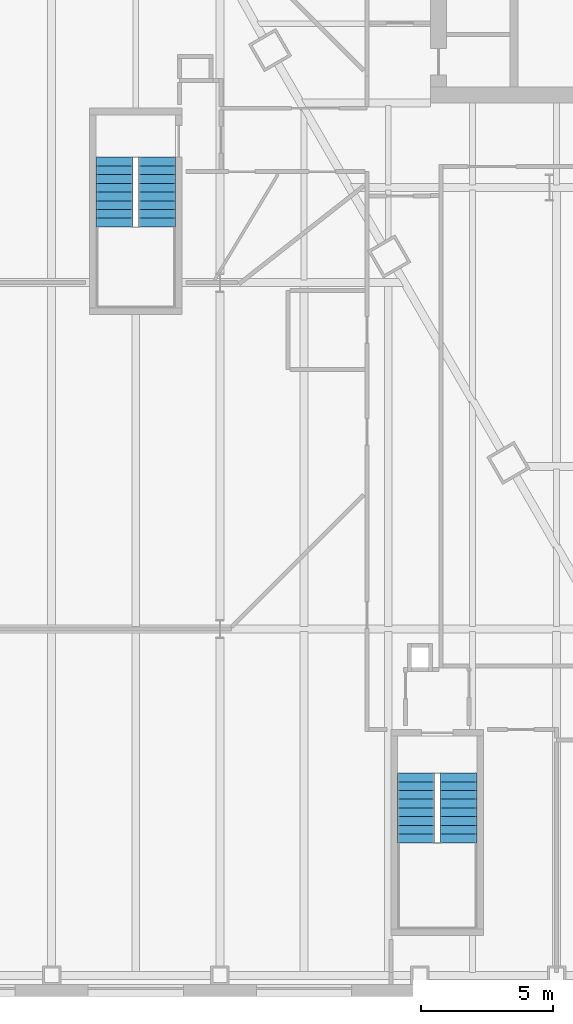
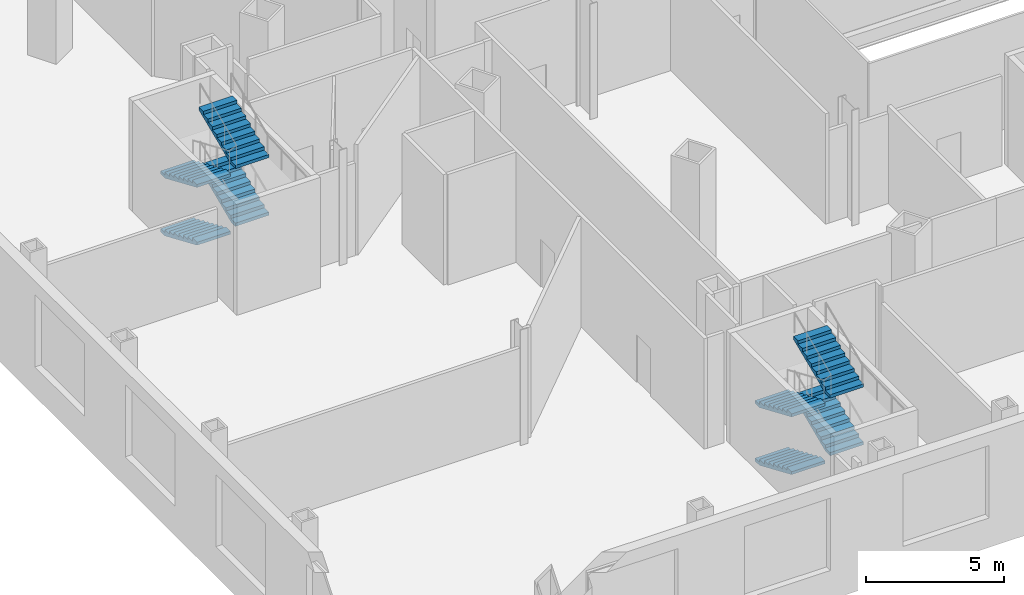
# One storey, part 16 of 21: 8 stair flights, 2 elements without a shape of their own.
"""IFC4 building model written with IfcOpenShell, lengths in metres."""

from ifc_helpers import new_model, si_unit, direction, frame, origin, place, context, subcontext, project, spatial, polygons, material, type_object, element, aggregate, save


model = new_model("IFC4")

# Units and contexts
model_context = context("Model", 3, precision=1e-05, world=origin(), true_north=direction((0.0, 1.0)))
body_context = subcontext(model_context, "Body", "Model", "MODEL_VIEW")
ifc_project = project(units=[si_unit("LENGTHUNIT", "METRE"), si_unit("AREAUNIT", "SQUARE_METRE"), si_unit("VOLUMEUNIT", "CUBIC_METRE"), si_unit("PLANEANGLEUNIT", "RADIAN"), si_unit("MASSUNIT", "GRAM", prefix="KILO")], contexts=[model_context])

# Site, building, storey
site_placement = place(None, origin())
site = spatial("IfcSite", under=ifc_project, at=site_placement, CompositionType="ELEMENT")
building_placement = place(site_placement, origin())
building = spatial("IfcBuilding", under=site, at=building_placement, Name="Njiva Tower", CompositionType="ELEMENT")
storey_placement = place(building_placement, frame((0.0, 0.0, 13.5)))
storey = spatial("IfcBuildingStorey", under=building, at=storey_placement, Name="L02", CompositionType="ELEMENT", Elevation=13.5)

# Stair, stair flights
ifc_material = material(Name="Concrete C40/50", Category="concrete")
stair_type = type_object("IfcStairType", Name="ST2 Exit stair 1400", PredefinedType="HALF_TURN_STAIR", material=ifc_material)
stair_1_placement = place(storey_placement, origin())
stair_1 = element("IfcStair", 1, at=stair_1_placement, inside=storey, type_object=stair_type, Name="Stair D", PredefinedType="DOUBLE_RETURN_STAIR")
stair_flight_type = type_object("IfcStairFlightType", Name="FL2 Stair flight 1400", PredefinedType="STRAIGHT", material=ifc_material)
stair_flight_1_placement = place(storey_placement, frame((-18.05, -25.35, 0.0), z_axis=(0.0, 0.0, 1.0), x_axis=(0.0, -1.0, 0.0)))
stair_flight_1 = element("IfcStairFlight", 2, at=stair_flight_1_placement, type_object=stair_flight_type, Name="ST-D flight 1", NumberOfRisers=9, NumberOfTreads=8, PredefinedType="STRAIGHT", RiserHeight=0.141666667, TreadLength=0.33, context=body_context, shape_type="Tessellation", body=[
    polygons([(0.0, 0.7, 0.0), (0.0, 0.35, 0.0), (0.0, 0.0, 0.0), (0.0, -0.35, 0.0), (0.0, -0.7, 0.0), (0.0, 0.7, 0.1417), (0.0, 0.35, 0.1417), (0.0, 0.0, 0.1417), (0.0, -0.35, 0.1417), (0.0, -0.7, 0.1417), (0.33, 0.7, 0.1417), (0.33, 0.35, 0.1417), (0.33, 0.0, 0.1417), (0.33, -0.35, 0.1417), (0.33, -0.7, 0.1417), (0.33, 0.7, 0.2833), (0.33, 0.35, 0.2833), (0.33, 0.0, 0.2833), (0.33, -0.35, 0.2833), (0.33, -0.7, 0.2833), (0.66, 0.7, 0.2833), (0.66, 0.35, 0.2833), (0.66, 0.0, 0.2833), (0.66, -0.35, 0.2833), (0.66, -0.7, 0.2833), (0.66, 0.7, 0.425), (0.66, 0.35, 0.425), (0.66, 0.0, 0.425), (0.66, -0.35, 0.425), (0.66, -0.7, 0.425), (0.99, 0.7, 0.425), (0.99, 0.35, 0.425), (0.99, 0.0, 0.425), (0.99, -0.35, 0.425), (0.99, -0.7, 0.425), (0.99, 0.7, 0.5667), (0.99, 0.35, 0.5667), (0.99, 0.0, 0.5667), (0.99, -0.35, 0.5667), (0.99, -0.7, 0.5667), (1.32, 0.7, 0.5667), (1.32, 0.35, 0.5667), (1.32, 0.0, 0.5667), (1.32, -0.35, 0.5667), (1.32, -0.7, 0.5667), (1.32, 0.7, 0.7083), (1.32, 0.35, 0.7083), (1.32, 0.0, 0.7083), (1.32, -0.35, 0.7083), (1.32, -0.7, 0.7083), (1.65, 0.7, 0.7083), (1.65, 0.35, 0.7083), (1.65, 0.0, 0.7083), (1.65, -0.35, 0.7083), (1.65, -0.7, 0.7083), (1.65, 0.7, 0.85), (1.65, 0.35, 0.85), (1.65, 0.0, 0.85), (1.65, -0.35, 0.85), (1.65, -0.7, 0.85), (1.98, 0.7, 0.85), (1.98, 0.35, 0.85), (1.98, 0.0, 0.85), (1.98, -0.35, 0.85), (1.98, -0.7, 0.85), (1.98, 0.7, 0.9917), (1.98, 0.35, 0.9917), (1.98, 0.0, 0.9917), (1.98, -0.35, 0.9917), (1.98, -0.7, 0.9917), (2.31, 0.7, 0.9917), (2.31, 0.35, 0.9917), (2.31, 0.0, 0.9917), (2.31, -0.35, 0.9917), (2.31, -0.7, 0.9917), (2.31, 0.7, 1.1333), (2.31, 0.35, 1.1333), (2.31, 0.0, 1.1333), (2.31, -0.35, 1.1333), (2.31, -0.7, 1.1333), (2.64, 0.7, 1.1333), (2.64, 0.35, 1.1333), (2.64, 0.0, 1.1333), (2.64, -0.35, 1.1333), (2.64, -0.7, 1.1333), (2.64, 0.7, 1.0027), (2.64, 0.35, 1.0027), (2.64, 0.0, 1.0027), (2.64, -0.35, 1.0027), (2.64, -0.7, 1.0027), (0.3042, 0.7, 0.0), (0.3042, 0.35, 0.0), (0.3042, 0.0, 0.0), (0.3042, -0.35, 0.0), (0.3042, -0.7, 0.0)], [[[1, 6, 11, 16, 21, 26, 31, 36, 41, 46, 51, 56, 61, 66, 71, 76, 81, 86, 91]], [[95, 90, 85, 80, 75, 70, 65, 60, 55, 50, 45, 40, 35, 30, 25, 20, 15, 10, 5]], [[6, 1, 2, 7]], [[7, 2, 3, 8]], [[8, 3, 4, 9]], [[9, 4, 5, 10]], [[11, 6, 7, 12]], [[12, 7, 8, 13]], [[13, 8, 9, 14]], [[14, 9, 10, 15]], [[16, 11, 12, 17]], [[17, 12, 13, 18]], [[18, 13, 14, 19]], [[19, 14, 15, 20]], [[21, 16, 17, 22]], [[22, 17, 18, 23]], [[23, 18, 19, 24]], [[24, 19, 20, 25]], [[26, 21, 22, 27]], [[27, 22, 23, 28]], [[28, 23, 24, 29]], [[29, 24, 25, 30]], [[31, 26, 27, 32]], [[32, 27, 28, 33]], [[33, 28, 29, 34]], [[34, 29, 30, 35]], [[36, 31, 32, 37]], [[37, 32, 33, 38]], [[38, 33, 34, 39]], [[39, 34, 35, 40]], [[41, 36, 37, 42]], [[42, 37, 38, 43]], [[43, 38, 39, 44]], [[44, 39, 40, 45]], [[46, 41, 42, 47]], [[47, 42, 43, 48]], [[48, 43, 44, 49]], [[49, 44, 45, 50]], [[51, 46, 47, 52]], [[52, 47, 48, 53]], [[53, 48, 49, 54]], [[54, 49, 50, 55]], [[56, 51, 52, 57]], [[57, 52, 53, 58]], [[58, 53, 54, 59]], [[59, 54, 55, 60]], [[61, 56, 57, 62]], [[62, 57, 58, 63]], [[63, 58, 59, 64]], [[64, 59, 60, 65]], [[66, 61, 62, 67]], [[67, 62, 63, 68]], [[68, 63, 64, 69]], [[69, 64, 65, 70]], [[71, 66, 67, 72]], [[72, 67, 68, 73]], [[73, 68, 69, 74]], [[74, 69, 70, 75]], [[76, 71, 72, 77]], [[77, 72, 73, 78]], [[78, 73, 74, 79]], [[79, 74, 75, 80]], [[81, 76, 77, 82]], [[82, 77, 78, 83]], [[83, 78, 79, 84]], [[84, 79, 80, 85]], [[86, 81, 82, 87]], [[87, 82, 83, 88]], [[88, 83, 84, 89]], [[89, 84, 85, 90]], [[91, 86, 87, 92]], [[92, 87, 88, 93]], [[93, 88, 89, 94]], [[94, 89, 90, 95]], [[1, 91, 92, 2]], [[2, 92, 93, 3]], [[3, 93, 94, 4]], [[4, 94, 95, 5]]], closed=True),
])
stair_flight_2_placement = place(storey_placement, frame((-16.45, -27.99, 1.275), z_axis=(0.0, 0.0, 1.0), x_axis=(0.0, 1.0, 0.0)))
stair_flight_2 = element("IfcStairFlight", 3, at=stair_flight_2_placement, type_object=stair_flight_type, Name="ST-D flight 2", NumberOfRisers=9, NumberOfTreads=8, PredefinedType="STRAIGHT", RiserHeight=0.141666667, TreadLength=0.33, context=body_context, shape_type="Tessellation", body=[
    polygons([(0.0, 0.7, 0.0), (0.0, 0.35, 0.0), (0.0, 0.0, 0.0), (0.0, -0.35, 0.0), (0.0, -0.7, 0.0), (0.0, 0.7, 0.1417), (0.0, 0.35, 0.1417), (0.0, 0.0, 0.1417), (0.0, -0.35, 0.1417), (0.0, -0.7, 0.1417), (0.33, 0.7, 0.1417), (0.33, 0.35, 0.1417), (0.33, 0.0, 0.1417), (0.33, -0.35, 0.1417), (0.33, -0.7, 0.1417), (0.33, 0.7, 0.2833), (0.33, 0.35, 0.2833), (0.33, 0.0, 0.2833), (0.33, -0.35, 0.2833), (0.33, -0.7, 0.2833), (0.66, 0.7, 0.2833), (0.66, 0.35, 0.2833), (0.66, 0.0, 0.2833), (0.66, -0.35, 0.2833), (0.66, -0.7, 0.2833), (0.66, 0.7, 0.425), (0.66, 0.35, 0.425), (0.66, 0.0, 0.425), (0.66, -0.35, 0.425), (0.66, -0.7, 0.425), (0.99, 0.7, 0.425), (0.99, 0.35, 0.425), (0.99, 0.0, 0.425), (0.99, -0.35, 0.425), (0.99, -0.7, 0.425), (0.99, 0.7, 0.5667), (0.99, 0.35, 0.5667), (0.99, 0.0, 0.5667), (0.99, -0.35, 0.5667), (0.99, -0.7, 0.5667), (1.32, 0.7, 0.5667), (1.32, 0.35, 0.5667), (1.32, 0.0, 0.5667), (1.32, -0.35, 0.5667), (1.32, -0.7, 0.5667), (1.32, 0.7, 0.7083), (1.32, 0.35, 0.7083), (1.32, 0.0, 0.7083), (1.32, -0.35, 0.7083), (1.32, -0.7, 0.7083), (1.65, 0.7, 0.7083), (1.65, 0.35, 0.7083), (1.65, 0.0, 0.7083), (1.65, -0.35, 0.7083), (1.65, -0.7, 0.7083), (1.65, 0.7, 0.85), (1.65, 0.35, 0.85), (1.65, 0.0, 0.85), (1.65, -0.35, 0.85), (1.65, -0.7, 0.85), (1.98, 0.7, 0.85), (1.98, 0.35, 0.85), (1.98, 0.0, 0.85), (1.98, -0.35, 0.85), (1.98, -0.7, 0.85), (1.98, 0.7, 0.9917), (1.98, 0.35, 0.9917), (1.98, 0.0, 0.9917), (1.98, -0.35, 0.9917), (1.98, -0.7, 0.9917), (2.31, 0.7, 0.9917), (2.31, 0.35, 0.9917), (2.31, 0.0, 0.9917), (2.31, -0.35, 0.9917), (2.31, -0.7, 0.9917), (2.31, 0.7, 1.1333), (2.31, 0.35, 1.1333), (2.31, 0.0, 1.1333), (2.31, -0.35, 1.1333), (2.31, -0.7, 1.1333), (2.64, 0.7, 1.1333), (2.64, 0.35, 1.1333), (2.64, 0.0, 1.1333), (2.64, -0.35, 1.1333), (2.64, -0.7, 1.1333), (2.64, 0.7, 1.0027), (2.64, 0.35, 1.0027), (2.64, 0.0, 1.0027), (2.64, -0.35, 1.0027), (2.64, -0.7, 1.0027), (0.3042, 0.7, 0.0), (0.3042, 0.35, 0.0), (0.3042, 0.0, 0.0), (0.3042, -0.35, 0.0), (0.3042, -0.7, 0.0)], [[[1, 6, 11, 16, 21, 26, 31, 36, 41, 46, 51, 56, 61, 66, 71, 76, 81, 86, 91]], [[95, 90, 85, 80, 75, 70, 65, 60, 55, 50, 45, 40, 35, 30, 25, 20, 15, 10, 5]], [[6, 1, 2, 7]], [[7, 2, 3, 8]], [[8, 3, 4, 9]], [[9, 4, 5, 10]], [[11, 6, 7, 12]], [[12, 7, 8, 13]], [[13, 8, 9, 14]], [[14, 9, 10, 15]], [[16, 11, 12, 17]], [[17, 12, 13, 18]], [[18, 13, 14, 19]], [[19, 14, 15, 20]], [[21, 16, 17, 22]], [[22, 17, 18, 23]], [[23, 18, 19, 24]], [[24, 19, 20, 25]], [[26, 21, 22, 27]], [[27, 22, 23, 28]], [[28, 23, 24, 29]], [[29, 24, 25, 30]], [[31, 26, 27, 32]], [[32, 27, 28, 33]], [[33, 28, 29, 34]], [[34, 29, 30, 35]], [[36, 31, 32, 37]], [[37, 32, 33, 38]], [[38, 33, 34, 39]], [[39, 34, 35, 40]], [[41, 36, 37, 42]], [[42, 37, 38, 43]], [[43, 38, 39, 44]], [[44, 39, 40, 45]], [[46, 41, 42, 47]], [[47, 42, 43, 48]], [[48, 43, 44, 49]], [[49, 44, 45, 50]], [[51, 46, 47, 52]], [[52, 47, 48, 53]], [[53, 48, 49, 54]], [[54, 49, 50, 55]], [[56, 51, 52, 57]], [[57, 52, 53, 58]], [[58, 53, 54, 59]], [[59, 54, 55, 60]], [[61, 56, 57, 62]], [[62, 57, 58, 63]], [[63, 58, 59, 64]], [[64, 59, 60, 65]], [[66, 61, 62, 67]], [[67, 62, 63, 68]], [[68, 63, 64, 69]], [[69, 64, 65, 70]], [[71, 66, 67, 72]], [[72, 67, 68, 73]], [[73, 68, 69, 74]], [[74, 69, 70, 75]], [[76, 71, 72, 77]], [[77, 72, 73, 78]], [[78, 73, 74, 79]], [[79, 74, 75, 80]], [[81, 76, 77, 82]], [[82, 77, 78, 83]], [[83, 78, 79, 84]], [[84, 79, 80, 85]], [[86, 81, 82, 87]], [[87, 82, 83, 88]], [[88, 83, 84, 89]], [[89, 84, 85, 90]], [[91, 86, 87, 92]], [[92, 87, 88, 93]], [[93, 88, 89, 94]], [[94, 89, 90, 95]], [[1, 91, 92, 2]], [[2, 92, 93, 3]], [[3, 93, 94, 4]], [[4, 94, 95, 5]]], closed=True),
])
stair_flight_3_placement = place(storey_placement, frame((-18.05, -25.35, 2.55), z_axis=(0.0, 0.0, 1.0), x_axis=(0.0, -1.0, 0.0)))
stair_flight_3 = element("IfcStairFlight", 4, at=stair_flight_3_placement, type_object=stair_flight_type, Name="ST-D flight 3", NumberOfRisers=9, NumberOfTreads=8, PredefinedType="STRAIGHT", RiserHeight=0.141666667, TreadLength=0.33, context=body_context, shape_type="Tessellation", body=[
    polygons([(0.0, 0.7, 0.0), (0.0, 0.35, 0.0), (0.0, 0.0, 0.0), (0.0, -0.35, 0.0), (0.0, -0.7, 0.0), (0.0, 0.7, 0.1417), (0.0, 0.35, 0.1417), (0.0, 0.0, 0.1417), (0.0, -0.35, 0.1417), (0.0, -0.7, 0.1417), (0.33, 0.7, 0.1417), (0.33, 0.35, 0.1417), (0.33, 0.0, 0.1417), (0.33, -0.35, 0.1417), (0.33, -0.7, 0.1417), (0.33, 0.7, 0.2833), (0.33, 0.35, 0.2833), (0.33, 0.0, 0.2833), (0.33, -0.35, 0.2833), (0.33, -0.7, 0.2833), (0.66, 0.7, 0.2833), (0.66, 0.35, 0.2833), (0.66, 0.0, 0.2833), (0.66, -0.35, 0.2833), (0.66, -0.7, 0.2833), (0.66, 0.7, 0.425), (0.66, 0.35, 0.425), (0.66, 0.0, 0.425), (0.66, -0.35, 0.425), (0.66, -0.7, 0.425), (0.99, 0.7, 0.425), (0.99, 0.35, 0.425), (0.99, 0.0, 0.425), (0.99, -0.35, 0.425), (0.99, -0.7, 0.425), (0.99, 0.7, 0.5667), (0.99, 0.35, 0.5667), (0.99, 0.0, 0.5667), (0.99, -0.35, 0.5667), (0.99, -0.7, 0.5667), (1.32, 0.7, 0.5667), (1.32, 0.35, 0.5667), (1.32, 0.0, 0.5667), (1.32, -0.35, 0.5667), (1.32, -0.7, 0.5667), (1.32, 0.7, 0.7083), (1.32, 0.35, 0.7083), (1.32, 0.0, 0.7083), (1.32, -0.35, 0.7083), (1.32, -0.7, 0.7083), (1.65, 0.7, 0.7083), (1.65, 0.35, 0.7083), (1.65, 0.0, 0.7083), (1.65, -0.35, 0.7083), (1.65, -0.7, 0.7083), (1.65, 0.7, 0.85), (1.65, 0.35, 0.85), (1.65, 0.0, 0.85), (1.65, -0.35, 0.85), (1.65, -0.7, 0.85), (1.98, 0.7, 0.85), (1.98, 0.35, 0.85), (1.98, 0.0, 0.85), (1.98, -0.35, 0.85), (1.98, -0.7, 0.85), (1.98, 0.7, 0.9917), (1.98, 0.35, 0.9917), (1.98, 0.0, 0.9917), (1.98, -0.35, 0.9917), (1.98, -0.7, 0.9917), (2.31, 0.7, 0.9917), (2.31, 0.35, 0.9917), (2.31, 0.0, 0.9917), (2.31, -0.35, 0.9917), (2.31, -0.7, 0.9917), (2.31, 0.7, 1.1333), (2.31, 0.35, 1.1333), (2.31, 0.0, 1.1333), (2.31, -0.35, 1.1333), (2.31, -0.7, 1.1333), (2.64, 0.7, 1.1333), (2.64, 0.35, 1.1333), (2.64, 0.0, 1.1333), (2.64, -0.35, 1.1333), (2.64, -0.7, 1.1333), (2.64, 0.7, 1.0027), (2.64, 0.35, 1.0027), (2.64, 0.0, 1.0027), (2.64, -0.35, 1.0027), (2.64, -0.7, 1.0027), (0.3042, 0.7, 0.0), (0.3042, 0.35, 0.0), (0.3042, 0.0, 0.0), (0.3042, -0.35, 0.0), (0.3042, -0.7, 0.0)], [[[1, 6, 11, 16, 21, 26, 31, 36, 41, 46, 51, 56, 61, 66, 71, 76, 81, 86, 91]], [[95, 90, 85, 80, 75, 70, 65, 60, 55, 50, 45, 40, 35, 30, 25, 20, 15, 10, 5]], [[6, 1, 2, 7]], [[7, 2, 3, 8]], [[8, 3, 4, 9]], [[9, 4, 5, 10]], [[11, 6, 7, 12]], [[12, 7, 8, 13]], [[13, 8, 9, 14]], [[14, 9, 10, 15]], [[16, 11, 12, 17]], [[17, 12, 13, 18]], [[18, 13, 14, 19]], [[19, 14, 15, 20]], [[21, 16, 17, 22]], [[22, 17, 18, 23]], [[23, 18, 19, 24]], [[24, 19, 20, 25]], [[26, 21, 22, 27]], [[27, 22, 23, 28]], [[28, 23, 24, 29]], [[29, 24, 25, 30]], [[31, 26, 27, 32]], [[32, 27, 28, 33]], [[33, 28, 29, 34]], [[34, 29, 30, 35]], [[36, 31, 32, 37]], [[37, 32, 33, 38]], [[38, 33, 34, 39]], [[39, 34, 35, 40]], [[41, 36, 37, 42]], [[42, 37, 38, 43]], [[43, 38, 39, 44]], [[44, 39, 40, 45]], [[46, 41, 42, 47]], [[47, 42, 43, 48]], [[48, 43, 44, 49]], [[49, 44, 45, 50]], [[51, 46, 47, 52]], [[52, 47, 48, 53]], [[53, 48, 49, 54]], [[54, 49, 50, 55]], [[56, 51, 52, 57]], [[57, 52, 53, 58]], [[58, 53, 54, 59]], [[59, 54, 55, 60]], [[61, 56, 57, 62]], [[62, 57, 58, 63]], [[63, 58, 59, 64]], [[64, 59, 60, 65]], [[66, 61, 62, 67]], [[67, 62, 63, 68]], [[68, 63, 64, 69]], [[69, 64, 65, 70]], [[71, 66, 67, 72]], [[72, 67, 68, 73]], [[73, 68, 69, 74]], [[74, 69, 70, 75]], [[76, 71, 72, 77]], [[77, 72, 73, 78]], [[78, 73, 74, 79]], [[79, 74, 75, 80]], [[81, 76, 77, 82]], [[82, 77, 78, 83]], [[83, 78, 79, 84]], [[84, 79, 80, 85]], [[86, 81, 82, 87]], [[87, 82, 83, 88]], [[88, 83, 84, 89]], [[89, 84, 85, 90]], [[91, 86, 87, 92]], [[92, 87, 88, 93]], [[93, 88, 89, 94]], [[94, 89, 90, 95]], [[1, 91, 92, 2]], [[2, 92, 93, 3]], [[3, 93, 94, 4]], [[4, 94, 95, 5]]], closed=True),
])
stair_flight_4_placement = place(storey_placement, frame((-16.45, -27.99, 3.825), z_axis=(0.0, 0.0, 1.0), x_axis=(0.0, 1.0, 0.0)))
stair_flight_4 = element("IfcStairFlight", 5, at=stair_flight_4_placement, type_object=stair_flight_type, Name="ST-D flight 4", NumberOfRisers=9, NumberOfTreads=8, PredefinedType="STRAIGHT", RiserHeight=0.141666667, TreadLength=0.33, context=body_context, shape_type="Tessellation", body=[
    polygons([(0.0, 0.7, 0.0), (0.0, 0.35, 0.0), (0.0, 0.0, 0.0), (0.0, -0.35, 0.0), (0.0, -0.7, 0.0), (0.0, 0.7, 0.1417), (0.0, 0.35, 0.1417), (0.0, 0.0, 0.1417), (0.0, -0.35, 0.1417), (0.0, -0.7, 0.1417), (0.33, 0.7, 0.1417), (0.33, 0.35, 0.1417), (0.33, 0.0, 0.1417), (0.33, -0.35, 0.1417), (0.33, -0.7, 0.1417), (0.33, 0.7, 0.2833), (0.33, 0.35, 0.2833), (0.33, 0.0, 0.2833), (0.33, -0.35, 0.2833), (0.33, -0.7, 0.2833), (0.66, 0.7, 0.2833), (0.66, 0.35, 0.2833), (0.66, 0.0, 0.2833), (0.66, -0.35, 0.2833), (0.66, -0.7, 0.2833), (0.66, 0.7, 0.425), (0.66, 0.35, 0.425), (0.66, 0.0, 0.425), (0.66, -0.35, 0.425), (0.66, -0.7, 0.425), (0.99, 0.7, 0.425), (0.99, 0.35, 0.425), (0.99, 0.0, 0.425), (0.99, -0.35, 0.425), (0.99, -0.7, 0.425), (0.99, 0.7, 0.5667), (0.99, 0.35, 0.5667), (0.99, 0.0, 0.5667), (0.99, -0.35, 0.5667), (0.99, -0.7, 0.5667), (1.32, 0.7, 0.5667), (1.32, 0.35, 0.5667), (1.32, 0.0, 0.5667), (1.32, -0.35, 0.5667), (1.32, -0.7, 0.5667), (1.32, 0.7, 0.7083), (1.32, 0.35, 0.7083), (1.32, 0.0, 0.7083), (1.32, -0.35, 0.7083), (1.32, -0.7, 0.7083), (1.65, 0.7, 0.7083), (1.65, 0.35, 0.7083), (1.65, 0.0, 0.7083), (1.65, -0.35, 0.7083), (1.65, -0.7, 0.7083), (1.65, 0.7, 0.85), (1.65, 0.35, 0.85), (1.65, 0.0, 0.85), (1.65, -0.35, 0.85), (1.65, -0.7, 0.85), (1.98, 0.7, 0.85), (1.98, 0.35, 0.85), (1.98, 0.0, 0.85), (1.98, -0.35, 0.85), (1.98, -0.7, 0.85), (1.98, 0.7, 0.9917), (1.98, 0.35, 0.9917), (1.98, 0.0, 0.9917), (1.98, -0.35, 0.9917), (1.98, -0.7, 0.9917), (2.31, 0.7, 0.9917), (2.31, 0.35, 0.9917), (2.31, 0.0, 0.9917), (2.31, -0.35, 0.9917), (2.31, -0.7, 0.9917), (2.31, 0.7, 1.1333), (2.31, 0.35, 1.1333), (2.31, 0.0, 1.1333), (2.31, -0.35, 1.1333), (2.31, -0.7, 1.1333), (2.64, 0.7, 1.1333), (2.64, 0.35, 1.1333), (2.64, 0.0, 1.1333), (2.64, -0.35, 1.1333), (2.64, -0.7, 1.1333), (2.64, 0.7, 1.0027), (2.64, 0.35, 1.0027), (2.64, 0.0, 1.0027), (2.64, -0.35, 1.0027), (2.64, -0.7, 1.0027), (0.3042, 0.7, 0.0), (0.3042, 0.35, 0.0), (0.3042, 0.0, 0.0), (0.3042, -0.35, 0.0), (0.3042, -0.7, 0.0)], [[[1, 6, 11, 16, 21, 26, 31, 36, 41, 46, 51, 56, 61, 66, 71, 76, 81, 86, 91]], [[95, 90, 85, 80, 75, 70, 65, 60, 55, 50, 45, 40, 35, 30, 25, 20, 15, 10, 5]], [[6, 1, 2, 7]], [[7, 2, 3, 8]], [[8, 3, 4, 9]], [[9, 4, 5, 10]], [[11, 6, 7, 12]], [[12, 7, 8, 13]], [[13, 8, 9, 14]], [[14, 9, 10, 15]], [[16, 11, 12, 17]], [[17, 12, 13, 18]], [[18, 13, 14, 19]], [[19, 14, 15, 20]], [[21, 16, 17, 22]], [[22, 17, 18, 23]], [[23, 18, 19, 24]], [[24, 19, 20, 25]], [[26, 21, 22, 27]], [[27, 22, 23, 28]], [[28, 23, 24, 29]], [[29, 24, 25, 30]], [[31, 26, 27, 32]], [[32, 27, 28, 33]], [[33, 28, 29, 34]], [[34, 29, 30, 35]], [[36, 31, 32, 37]], [[37, 32, 33, 38]], [[38, 33, 34, 39]], [[39, 34, 35, 40]], [[41, 36, 37, 42]], [[42, 37, 38, 43]], [[43, 38, 39, 44]], [[44, 39, 40, 45]], [[46, 41, 42, 47]], [[47, 42, 43, 48]], [[48, 43, 44, 49]], [[49, 44, 45, 50]], [[51, 46, 47, 52]], [[52, 47, 48, 53]], [[53, 48, 49, 54]], [[54, 49, 50, 55]], [[56, 51, 52, 57]], [[57, 52, 53, 58]], [[58, 53, 54, 59]], [[59, 54, 55, 60]], [[61, 56, 57, 62]], [[62, 57, 58, 63]], [[63, 58, 59, 64]], [[64, 59, 60, 65]], [[66, 61, 62, 67]], [[67, 62, 63, 68]], [[68, 63, 64, 69]], [[69, 64, 65, 70]], [[71, 66, 67, 72]], [[72, 67, 68, 73]], [[73, 68, 69, 74]], [[74, 69, 70, 75]], [[76, 71, 72, 77]], [[77, 72, 73, 78]], [[78, 73, 74, 79]], [[79, 74, 75, 80]], [[81, 76, 77, 82]], [[82, 77, 78, 83]], [[83, 78, 79, 84]], [[84, 79, 80, 85]], [[86, 81, 82, 87]], [[87, 82, 83, 88]], [[88, 83, 84, 89]], [[89, 84, 85, 90]], [[91, 86, 87, 92]], [[92, 87, 88, 93]], [[93, 88, 89, 94]], [[94, 89, 90, 95]], [[1, 91, 92, 2]], [[2, 92, 93, 3]], [[3, 93, 94, 4]], [[4, 94, 95, 5]]], closed=True),
])
aggregate(stair_1, [stair_flight_1, stair_flight_2, stair_flight_3, stair_flight_4])

stair_2_placement = place(storey_placement, origin())
stair_2 = element("IfcStair", 6, at=stair_2_placement, inside=storey, type_object=stair_type, Name="Stair F", PredefinedType="DOUBLE_RETURN_STAIR")
stair_flight_5_placement = place(storey_placement, frame((-29.45, -2.05, 0.0), z_axis=(0.0, 0.0, 1.0), x_axis=(0.0, -1.0, 0.0)))
stair_flight_5 = element("IfcStairFlight", 7, at=stair_flight_5_placement, type_object=stair_flight_type, Name="ST-F flight 1", NumberOfRisers=9, NumberOfTreads=8, PredefinedType="STRAIGHT", RiserHeight=0.141666667, TreadLength=0.33, context=body_context, shape_type="Tessellation", body=[
    polygons([(0.0, 0.7, 0.0), (0.0, 0.35, 0.0), (0.0, 0.0, 0.0), (0.0, -0.35, 0.0), (0.0, -0.7, 0.0), (0.0, 0.7, 0.1417), (0.0, 0.35, 0.1417), (0.0, 0.0, 0.1417), (0.0, -0.35, 0.1417), (0.0, -0.7, 0.1417), (0.33, 0.7, 0.1417), (0.33, 0.35, 0.1417), (0.33, 0.0, 0.1417), (0.33, -0.35, 0.1417), (0.33, -0.7, 0.1417), (0.33, 0.7, 0.2833), (0.33, 0.35, 0.2833), (0.33, 0.0, 0.2833), (0.33, -0.35, 0.2833), (0.33, -0.7, 0.2833), (0.66, 0.7, 0.2833), (0.66, 0.35, 0.2833), (0.66, 0.0, 0.2833), (0.66, -0.35, 0.2833), (0.66, -0.7, 0.2833), (0.66, 0.7, 0.425), (0.66, 0.35, 0.425), (0.66, 0.0, 0.425), (0.66, -0.35, 0.425), (0.66, -0.7, 0.425), (0.99, 0.7, 0.425), (0.99, 0.35, 0.425), (0.99, 0.0, 0.425), (0.99, -0.35, 0.425), (0.99, -0.7, 0.425), (0.99, 0.7, 0.5667), (0.99, 0.35, 0.5667), (0.99, 0.0, 0.5667), (0.99, -0.35, 0.5667), (0.99, -0.7, 0.5667), (1.32, 0.7, 0.5667), (1.32, 0.35, 0.5667), (1.32, 0.0, 0.5667), (1.32, -0.35, 0.5667), (1.32, -0.7, 0.5667), (1.32, 0.7, 0.7083), (1.32, 0.35, 0.7083), (1.32, 0.0, 0.7083), (1.32, -0.35, 0.7083), (1.32, -0.7, 0.7083), (1.65, 0.7, 0.7083), (1.65, 0.35, 0.7083), (1.65, 0.0, 0.7083), (1.65, -0.35, 0.7083), (1.65, -0.7, 0.7083), (1.65, 0.7, 0.85), (1.65, 0.35, 0.85), (1.65, 0.0, 0.85), (1.65, -0.35, 0.85), (1.65, -0.7, 0.85), (1.98, 0.7, 0.85), (1.98, 0.35, 0.85), (1.98, 0.0, 0.85), (1.98, -0.35, 0.85), (1.98, -0.7, 0.85), (1.98, 0.7, 0.9917), (1.98, 0.35, 0.9917), (1.98, 0.0, 0.9917), (1.98, -0.35, 0.9917), (1.98, -0.7, 0.9917), (2.31, 0.7, 0.9917), (2.31, 0.35, 0.9917), (2.31, 0.0, 0.9917), (2.31, -0.35, 0.9917), (2.31, -0.7, 0.9917), (2.31, 0.7, 1.1333), (2.31, 0.35, 1.1333), (2.31, 0.0, 1.1333), (2.31, -0.35, 1.1333), (2.31, -0.7, 1.1333), (2.64, 0.7, 1.1333), (2.64, 0.35, 1.1333), (2.64, 0.0, 1.1333), (2.64, -0.35, 1.1333), (2.64, -0.7, 1.1333), (2.64, 0.7, 1.0027), (2.64, 0.35, 1.0027), (2.64, 0.0, 1.0027), (2.64, -0.35, 1.0027), (2.64, -0.7, 1.0027), (0.3042, 0.7, 0.0), (0.3042, 0.35, 0.0), (0.3042, 0.0, 0.0), (0.3042, -0.35, 0.0), (0.3042, -0.7, 0.0)], [[[1, 6, 11, 16, 21, 26, 31, 36, 41, 46, 51, 56, 61, 66, 71, 76, 81, 86, 91]], [[95, 90, 85, 80, 75, 70, 65, 60, 55, 50, 45, 40, 35, 30, 25, 20, 15, 10, 5]], [[6, 1, 2, 7]], [[7, 2, 3, 8]], [[8, 3, 4, 9]], [[9, 4, 5, 10]], [[11, 6, 7, 12]], [[12, 7, 8, 13]], [[13, 8, 9, 14]], [[14, 9, 10, 15]], [[16, 11, 12, 17]], [[17, 12, 13, 18]], [[18, 13, 14, 19]], [[19, 14, 15, 20]], [[21, 16, 17, 22]], [[22, 17, 18, 23]], [[23, 18, 19, 24]], [[24, 19, 20, 25]], [[26, 21, 22, 27]], [[27, 22, 23, 28]], [[28, 23, 24, 29]], [[29, 24, 25, 30]], [[31, 26, 27, 32]], [[32, 27, 28, 33]], [[33, 28, 29, 34]], [[34, 29, 30, 35]], [[36, 31, 32, 37]], [[37, 32, 33, 38]], [[38, 33, 34, 39]], [[39, 34, 35, 40]], [[41, 36, 37, 42]], [[42, 37, 38, 43]], [[43, 38, 39, 44]], [[44, 39, 40, 45]], [[46, 41, 42, 47]], [[47, 42, 43, 48]], [[48, 43, 44, 49]], [[49, 44, 45, 50]], [[51, 46, 47, 52]], [[52, 47, 48, 53]], [[53, 48, 49, 54]], [[54, 49, 50, 55]], [[56, 51, 52, 57]], [[57, 52, 53, 58]], [[58, 53, 54, 59]], [[59, 54, 55, 60]], [[61, 56, 57, 62]], [[62, 57, 58, 63]], [[63, 58, 59, 64]], [[64, 59, 60, 65]], [[66, 61, 62, 67]], [[67, 62, 63, 68]], [[68, 63, 64, 69]], [[69, 64, 65, 70]], [[71, 66, 67, 72]], [[72, 67, 68, 73]], [[73, 68, 69, 74]], [[74, 69, 70, 75]], [[76, 71, 72, 77]], [[77, 72, 73, 78]], [[78, 73, 74, 79]], [[79, 74, 75, 80]], [[81, 76, 77, 82]], [[82, 77, 78, 83]], [[83, 78, 79, 84]], [[84, 79, 80, 85]], [[86, 81, 82, 87]], [[87, 82, 83, 88]], [[88, 83, 84, 89]], [[89, 84, 85, 90]], [[91, 86, 87, 92]], [[92, 87, 88, 93]], [[93, 88, 89, 94]], [[94, 89, 90, 95]], [[1, 91, 92, 2]], [[2, 92, 93, 3]], [[3, 93, 94, 4]], [[4, 94, 95, 5]]], closed=True),
])
stair_flight_6_placement = place(storey_placement, frame((-27.85, -4.69, 1.275), z_axis=(0.0, 0.0, 1.0), x_axis=(0.0, 1.0, 0.0)))
stair_flight_6 = element("IfcStairFlight", 8, at=stair_flight_6_placement, type_object=stair_flight_type, Name="ST-F flight 2", NumberOfRisers=9, NumberOfTreads=8, PredefinedType="STRAIGHT", RiserHeight=0.141666667, TreadLength=0.33, context=body_context, shape_type="Tessellation", body=[
    polygons([(0.0, 0.7, 0.0), (0.0, 0.35, 0.0), (0.0, 0.0, 0.0), (0.0, -0.35, 0.0), (0.0, -0.7, 0.0), (0.0, 0.7, 0.1417), (0.0, 0.35, 0.1417), (0.0, 0.0, 0.1417), (0.0, -0.35, 0.1417), (0.0, -0.7, 0.1417), (0.33, 0.7, 0.1417), (0.33, 0.35, 0.1417), (0.33, 0.0, 0.1417), (0.33, -0.35, 0.1417), (0.33, -0.7, 0.1417), (0.33, 0.7, 0.2833), (0.33, 0.35, 0.2833), (0.33, 0.0, 0.2833), (0.33, -0.35, 0.2833), (0.33, -0.7, 0.2833), (0.66, 0.7, 0.2833), (0.66, 0.35, 0.2833), (0.66, 0.0, 0.2833), (0.66, -0.35, 0.2833), (0.66, -0.7, 0.2833), (0.66, 0.7, 0.425), (0.66, 0.35, 0.425), (0.66, 0.0, 0.425), (0.66, -0.35, 0.425), (0.66, -0.7, 0.425), (0.99, 0.7, 0.425), (0.99, 0.35, 0.425), (0.99, 0.0, 0.425), (0.99, -0.35, 0.425), (0.99, -0.7, 0.425), (0.99, 0.7, 0.5667), (0.99, 0.35, 0.5667), (0.99, 0.0, 0.5667), (0.99, -0.35, 0.5667), (0.99, -0.7, 0.5667), (1.32, 0.7, 0.5667), (1.32, 0.35, 0.5667), (1.32, 0.0, 0.5667), (1.32, -0.35, 0.5667), (1.32, -0.7, 0.5667), (1.32, 0.7, 0.7083), (1.32, 0.35, 0.7083), (1.32, 0.0, 0.7083), (1.32, -0.35, 0.7083), (1.32, -0.7, 0.7083), (1.65, 0.7, 0.7083), (1.65, 0.35, 0.7083), (1.65, 0.0, 0.7083), (1.65, -0.35, 0.7083), (1.65, -0.7, 0.7083), (1.65, 0.7, 0.85), (1.65, 0.35, 0.85), (1.65, 0.0, 0.85), (1.65, -0.35, 0.85), (1.65, -0.7, 0.85), (1.98, 0.7, 0.85), (1.98, 0.35, 0.85), (1.98, 0.0, 0.85), (1.98, -0.35, 0.85), (1.98, -0.7, 0.85), (1.98, 0.7, 0.9917), (1.98, 0.35, 0.9917), (1.98, 0.0, 0.9917), (1.98, -0.35, 0.9917), (1.98, -0.7, 0.9917), (2.31, 0.7, 0.9917), (2.31, 0.35, 0.9917), (2.31, 0.0, 0.9917), (2.31, -0.35, 0.9917), (2.31, -0.7, 0.9917), (2.31, 0.7, 1.1333), (2.31, 0.35, 1.1333), (2.31, 0.0, 1.1333), (2.31, -0.35, 1.1333), (2.31, -0.7, 1.1333), (2.64, 0.7, 1.1333), (2.64, 0.35, 1.1333), (2.64, 0.0, 1.1333), (2.64, -0.35, 1.1333), (2.64, -0.7, 1.1333), (2.64, 0.7, 1.0027), (2.64, 0.35, 1.0027), (2.64, 0.0, 1.0027), (2.64, -0.35, 1.0027), (2.64, -0.7, 1.0027), (0.3042, 0.7, 0.0), (0.3042, 0.35, 0.0), (0.3042, 0.0, 0.0), (0.3042, -0.35, 0.0), (0.3042, -0.7, 0.0)], [[[1, 6, 11, 16, 21, 26, 31, 36, 41, 46, 51, 56, 61, 66, 71, 76, 81, 86, 91]], [[95, 90, 85, 80, 75, 70, 65, 60, 55, 50, 45, 40, 35, 30, 25, 20, 15, 10, 5]], [[6, 1, 2, 7]], [[7, 2, 3, 8]], [[8, 3, 4, 9]], [[9, 4, 5, 10]], [[11, 6, 7, 12]], [[12, 7, 8, 13]], [[13, 8, 9, 14]], [[14, 9, 10, 15]], [[16, 11, 12, 17]], [[17, 12, 13, 18]], [[18, 13, 14, 19]], [[19, 14, 15, 20]], [[21, 16, 17, 22]], [[22, 17, 18, 23]], [[23, 18, 19, 24]], [[24, 19, 20, 25]], [[26, 21, 22, 27]], [[27, 22, 23, 28]], [[28, 23, 24, 29]], [[29, 24, 25, 30]], [[31, 26, 27, 32]], [[32, 27, 28, 33]], [[33, 28, 29, 34]], [[34, 29, 30, 35]], [[36, 31, 32, 37]], [[37, 32, 33, 38]], [[38, 33, 34, 39]], [[39, 34, 35, 40]], [[41, 36, 37, 42]], [[42, 37, 38, 43]], [[43, 38, 39, 44]], [[44, 39, 40, 45]], [[46, 41, 42, 47]], [[47, 42, 43, 48]], [[48, 43, 44, 49]], [[49, 44, 45, 50]], [[51, 46, 47, 52]], [[52, 47, 48, 53]], [[53, 48, 49, 54]], [[54, 49, 50, 55]], [[56, 51, 52, 57]], [[57, 52, 53, 58]], [[58, 53, 54, 59]], [[59, 54, 55, 60]], [[61, 56, 57, 62]], [[62, 57, 58, 63]], [[63, 58, 59, 64]], [[64, 59, 60, 65]], [[66, 61, 62, 67]], [[67, 62, 63, 68]], [[68, 63, 64, 69]], [[69, 64, 65, 70]], [[71, 66, 67, 72]], [[72, 67, 68, 73]], [[73, 68, 69, 74]], [[74, 69, 70, 75]], [[76, 71, 72, 77]], [[77, 72, 73, 78]], [[78, 73, 74, 79]], [[79, 74, 75, 80]], [[81, 76, 77, 82]], [[82, 77, 78, 83]], [[83, 78, 79, 84]], [[84, 79, 80, 85]], [[86, 81, 82, 87]], [[87, 82, 83, 88]], [[88, 83, 84, 89]], [[89, 84, 85, 90]], [[91, 86, 87, 92]], [[92, 87, 88, 93]], [[93, 88, 89, 94]], [[94, 89, 90, 95]], [[1, 91, 92, 2]], [[2, 92, 93, 3]], [[3, 93, 94, 4]], [[4, 94, 95, 5]]], closed=True),
])
stair_flight_7_placement = place(storey_placement, frame((-29.45, -2.05, 2.55), z_axis=(0.0, 0.0, 1.0), x_axis=(0.0, -1.0, 0.0)))
stair_flight_7 = element("IfcStairFlight", 9, at=stair_flight_7_placement, type_object=stair_flight_type, Name="ST-F flight 3", NumberOfRisers=9, NumberOfTreads=8, PredefinedType="STRAIGHT", RiserHeight=0.141666667, TreadLength=0.33, context=body_context, shape_type="Tessellation", body=[
    polygons([(0.0, 0.7, 0.0), (0.0, 0.35, 0.0), (0.0, 0.0, 0.0), (0.0, -0.35, 0.0), (0.0, -0.7, 0.0), (0.0, 0.7, 0.1417), (0.0, 0.35, 0.1417), (0.0, 0.0, 0.1417), (0.0, -0.35, 0.1417), (0.0, -0.7, 0.1417), (0.33, 0.7, 0.1417), (0.33, 0.35, 0.1417), (0.33, 0.0, 0.1417), (0.33, -0.35, 0.1417), (0.33, -0.7, 0.1417), (0.33, 0.7, 0.2833), (0.33, 0.35, 0.2833), (0.33, 0.0, 0.2833), (0.33, -0.35, 0.2833), (0.33, -0.7, 0.2833), (0.66, 0.7, 0.2833), (0.66, 0.35, 0.2833), (0.66, 0.0, 0.2833), (0.66, -0.35, 0.2833), (0.66, -0.7, 0.2833), (0.66, 0.7, 0.425), (0.66, 0.35, 0.425), (0.66, 0.0, 0.425), (0.66, -0.35, 0.425), (0.66, -0.7, 0.425), (0.99, 0.7, 0.425), (0.99, 0.35, 0.425), (0.99, 0.0, 0.425), (0.99, -0.35, 0.425), (0.99, -0.7, 0.425), (0.99, 0.7, 0.5667), (0.99, 0.35, 0.5667), (0.99, 0.0, 0.5667), (0.99, -0.35, 0.5667), (0.99, -0.7, 0.5667), (1.32, 0.7, 0.5667), (1.32, 0.35, 0.5667), (1.32, 0.0, 0.5667), (1.32, -0.35, 0.5667), (1.32, -0.7, 0.5667), (1.32, 0.7, 0.7083), (1.32, 0.35, 0.7083), (1.32, 0.0, 0.7083), (1.32, -0.35, 0.7083), (1.32, -0.7, 0.7083), (1.65, 0.7, 0.7083), (1.65, 0.35, 0.7083), (1.65, 0.0, 0.7083), (1.65, -0.35, 0.7083), (1.65, -0.7, 0.7083), (1.65, 0.7, 0.85), (1.65, 0.35, 0.85), (1.65, 0.0, 0.85), (1.65, -0.35, 0.85), (1.65, -0.7, 0.85), (1.98, 0.7, 0.85), (1.98, 0.35, 0.85), (1.98, 0.0, 0.85), (1.98, -0.35, 0.85), (1.98, -0.7, 0.85), (1.98, 0.7, 0.9917), (1.98, 0.35, 0.9917), (1.98, 0.0, 0.9917), (1.98, -0.35, 0.9917), (1.98, -0.7, 0.9917), (2.31, 0.7, 0.9917), (2.31, 0.35, 0.9917), (2.31, 0.0, 0.9917), (2.31, -0.35, 0.9917), (2.31, -0.7, 0.9917), (2.31, 0.7, 1.1333), (2.31, 0.35, 1.1333), (2.31, 0.0, 1.1333), (2.31, -0.35, 1.1333), (2.31, -0.7, 1.1333), (2.64, 0.7, 1.1333), (2.64, 0.35, 1.1333), (2.64, 0.0, 1.1333), (2.64, -0.35, 1.1333), (2.64, -0.7, 1.1333), (2.64, 0.7, 1.0027), (2.64, 0.35, 1.0027), (2.64, 0.0, 1.0027), (2.64, -0.35, 1.0027), (2.64, -0.7, 1.0027), (0.3042, 0.7, 0.0), (0.3042, 0.35, 0.0), (0.3042, 0.0, 0.0), (0.3042, -0.35, 0.0), (0.3042, -0.7, 0.0)], [[[1, 6, 11, 16, 21, 26, 31, 36, 41, 46, 51, 56, 61, 66, 71, 76, 81, 86, 91]], [[95, 90, 85, 80, 75, 70, 65, 60, 55, 50, 45, 40, 35, 30, 25, 20, 15, 10, 5]], [[6, 1, 2, 7]], [[7, 2, 3, 8]], [[8, 3, 4, 9]], [[9, 4, 5, 10]], [[11, 6, 7, 12]], [[12, 7, 8, 13]], [[13, 8, 9, 14]], [[14, 9, 10, 15]], [[16, 11, 12, 17]], [[17, 12, 13, 18]], [[18, 13, 14, 19]], [[19, 14, 15, 20]], [[21, 16, 17, 22]], [[22, 17, 18, 23]], [[23, 18, 19, 24]], [[24, 19, 20, 25]], [[26, 21, 22, 27]], [[27, 22, 23, 28]], [[28, 23, 24, 29]], [[29, 24, 25, 30]], [[31, 26, 27, 32]], [[32, 27, 28, 33]], [[33, 28, 29, 34]], [[34, 29, 30, 35]], [[36, 31, 32, 37]], [[37, 32, 33, 38]], [[38, 33, 34, 39]], [[39, 34, 35, 40]], [[41, 36, 37, 42]], [[42, 37, 38, 43]], [[43, 38, 39, 44]], [[44, 39, 40, 45]], [[46, 41, 42, 47]], [[47, 42, 43, 48]], [[48, 43, 44, 49]], [[49, 44, 45, 50]], [[51, 46, 47, 52]], [[52, 47, 48, 53]], [[53, 48, 49, 54]], [[54, 49, 50, 55]], [[56, 51, 52, 57]], [[57, 52, 53, 58]], [[58, 53, 54, 59]], [[59, 54, 55, 60]], [[61, 56, 57, 62]], [[62, 57, 58, 63]], [[63, 58, 59, 64]], [[64, 59, 60, 65]], [[66, 61, 62, 67]], [[67, 62, 63, 68]], [[68, 63, 64, 69]], [[69, 64, 65, 70]], [[71, 66, 67, 72]], [[72, 67, 68, 73]], [[73, 68, 69, 74]], [[74, 69, 70, 75]], [[76, 71, 72, 77]], [[77, 72, 73, 78]], [[78, 73, 74, 79]], [[79, 74, 75, 80]], [[81, 76, 77, 82]], [[82, 77, 78, 83]], [[83, 78, 79, 84]], [[84, 79, 80, 85]], [[86, 81, 82, 87]], [[87, 82, 83, 88]], [[88, 83, 84, 89]], [[89, 84, 85, 90]], [[91, 86, 87, 92]], [[92, 87, 88, 93]], [[93, 88, 89, 94]], [[94, 89, 90, 95]], [[1, 91, 92, 2]], [[2, 92, 93, 3]], [[3, 93, 94, 4]], [[4, 94, 95, 5]]], closed=True),
])
stair_flight_8_placement = place(storey_placement, frame((-27.85, -4.69, 3.825), z_axis=(0.0, 0.0, 1.0), x_axis=(0.0, 1.0, 0.0)))
stair_flight_8 = element("IfcStairFlight", 10, at=stair_flight_8_placement, type_object=stair_flight_type, Name="ST-F flight 4", NumberOfRisers=9, NumberOfTreads=8, PredefinedType="STRAIGHT", RiserHeight=0.141666667, TreadLength=0.33, context=body_context, shape_type="Tessellation", body=[
    polygons([(0.0, 0.7, 0.0), (0.0, 0.35, 0.0), (0.0, 0.0, 0.0), (0.0, -0.35, 0.0), (0.0, -0.7, 0.0), (0.0, 0.7, 0.1417), (0.0, 0.35, 0.1417), (0.0, 0.0, 0.1417), (0.0, -0.35, 0.1417), (0.0, -0.7, 0.1417), (0.33, 0.7, 0.1417), (0.33, 0.35, 0.1417), (0.33, 0.0, 0.1417), (0.33, -0.35, 0.1417), (0.33, -0.7, 0.1417), (0.33, 0.7, 0.2833), (0.33, 0.35, 0.2833), (0.33, 0.0, 0.2833), (0.33, -0.35, 0.2833), (0.33, -0.7, 0.2833), (0.66, 0.7, 0.2833), (0.66, 0.35, 0.2833), (0.66, 0.0, 0.2833), (0.66, -0.35, 0.2833), (0.66, -0.7, 0.2833), (0.66, 0.7, 0.425), (0.66, 0.35, 0.425), (0.66, 0.0, 0.425), (0.66, -0.35, 0.425), (0.66, -0.7, 0.425), (0.99, 0.7, 0.425), (0.99, 0.35, 0.425), (0.99, 0.0, 0.425), (0.99, -0.35, 0.425), (0.99, -0.7, 0.425), (0.99, 0.7, 0.5667), (0.99, 0.35, 0.5667), (0.99, 0.0, 0.5667), (0.99, -0.35, 0.5667), (0.99, -0.7, 0.5667), (1.32, 0.7, 0.5667), (1.32, 0.35, 0.5667), (1.32, 0.0, 0.5667), (1.32, -0.35, 0.5667), (1.32, -0.7, 0.5667), (1.32, 0.7, 0.7083), (1.32, 0.35, 0.7083), (1.32, 0.0, 0.7083), (1.32, -0.35, 0.7083), (1.32, -0.7, 0.7083), (1.65, 0.7, 0.7083), (1.65, 0.35, 0.7083), (1.65, 0.0, 0.7083), (1.65, -0.35, 0.7083), (1.65, -0.7, 0.7083), (1.65, 0.7, 0.85), (1.65, 0.35, 0.85), (1.65, 0.0, 0.85), (1.65, -0.35, 0.85), (1.65, -0.7, 0.85), (1.98, 0.7, 0.85), (1.98, 0.35, 0.85), (1.98, 0.0, 0.85), (1.98, -0.35, 0.85), (1.98, -0.7, 0.85), (1.98, 0.7, 0.9917), (1.98, 0.35, 0.9917), (1.98, 0.0, 0.9917), (1.98, -0.35, 0.9917), (1.98, -0.7, 0.9917), (2.31, 0.7, 0.9917), (2.31, 0.35, 0.9917), (2.31, 0.0, 0.9917), (2.31, -0.35, 0.9917), (2.31, -0.7, 0.9917), (2.31, 0.7, 1.1333), (2.31, 0.35, 1.1333), (2.31, 0.0, 1.1333), (2.31, -0.35, 1.1333), (2.31, -0.7, 1.1333), (2.64, 0.7, 1.1333), (2.64, 0.35, 1.1333), (2.64, 0.0, 1.1333), (2.64, -0.35, 1.1333), (2.64, -0.7, 1.1333), (2.64, 0.7, 1.0027), (2.64, 0.35, 1.0027), (2.64, 0.0, 1.0027), (2.64, -0.35, 1.0027), (2.64, -0.7, 1.0027), (0.3042, 0.7, 0.0), (0.3042, 0.35, 0.0), (0.3042, 0.0, 0.0), (0.3042, -0.35, 0.0), (0.3042, -0.7, 0.0)], [[[1, 6, 11, 16, 21, 26, 31, 36, 41, 46, 51, 56, 61, 66, 71, 76, 81, 86, 91]], [[95, 90, 85, 80, 75, 70, 65, 60, 55, 50, 45, 40, 35, 30, 25, 20, 15, 10, 5]], [[6, 1, 2, 7]], [[7, 2, 3, 8]], [[8, 3, 4, 9]], [[9, 4, 5, 10]], [[11, 6, 7, 12]], [[12, 7, 8, 13]], [[13, 8, 9, 14]], [[14, 9, 10, 15]], [[16, 11, 12, 17]], [[17, 12, 13, 18]], [[18, 13, 14, 19]], [[19, 14, 15, 20]], [[21, 16, 17, 22]], [[22, 17, 18, 23]], [[23, 18, 19, 24]], [[24, 19, 20, 25]], [[26, 21, 22, 27]], [[27, 22, 23, 28]], [[28, 23, 24, 29]], [[29, 24, 25, 30]], [[31, 26, 27, 32]], [[32, 27, 28, 33]], [[33, 28, 29, 34]], [[34, 29, 30, 35]], [[36, 31, 32, 37]], [[37, 32, 33, 38]], [[38, 33, 34, 39]], [[39, 34, 35, 40]], [[41, 36, 37, 42]], [[42, 37, 38, 43]], [[43, 38, 39, 44]], [[44, 39, 40, 45]], [[46, 41, 42, 47]], [[47, 42, 43, 48]], [[48, 43, 44, 49]], [[49, 44, 45, 50]], [[51, 46, 47, 52]], [[52, 47, 48, 53]], [[53, 48, 49, 54]], [[54, 49, 50, 55]], [[56, 51, 52, 57]], [[57, 52, 53, 58]], [[58, 53, 54, 59]], [[59, 54, 55, 60]], [[61, 56, 57, 62]], [[62, 57, 58, 63]], [[63, 58, 59, 64]], [[64, 59, 60, 65]], [[66, 61, 62, 67]], [[67, 62, 63, 68]], [[68, 63, 64, 69]], [[69, 64, 65, 70]], [[71, 66, 67, 72]], [[72, 67, 68, 73]], [[73, 68, 69, 74]], [[74, 69, 70, 75]], [[76, 71, 72, 77]], [[77, 72, 73, 78]], [[78, 73, 74, 79]], [[79, 74, 75, 80]], [[81, 76, 77, 82]], [[82, 77, 78, 83]], [[83, 78, 79, 84]], [[84, 79, 80, 85]], [[86, 81, 82, 87]], [[87, 82, 83, 88]], [[88, 83, 84, 89]], [[89, 84, 85, 90]], [[91, 86, 87, 92]], [[92, 87, 88, 93]], [[93, 88, 89, 94]], [[94, 89, 90, 95]], [[1, 91, 92, 2]], [[2, 92, 93, 3]], [[3, 93, 94, 4]], [[4, 94, 95, 5]]], closed=True),
])
aggregate(stair_2, [stair_flight_5, stair_flight_6, stair_flight_7, stair_flight_8])

save(model, "model.ifc")
